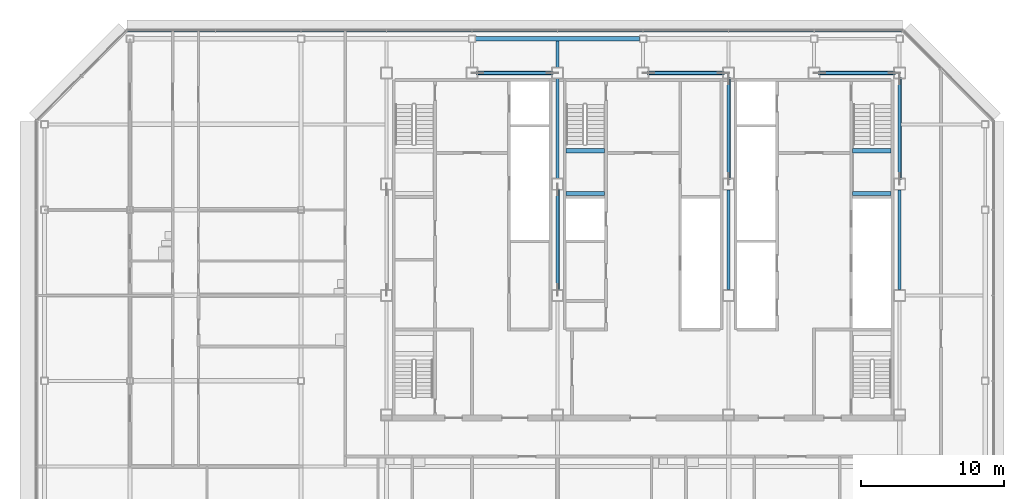
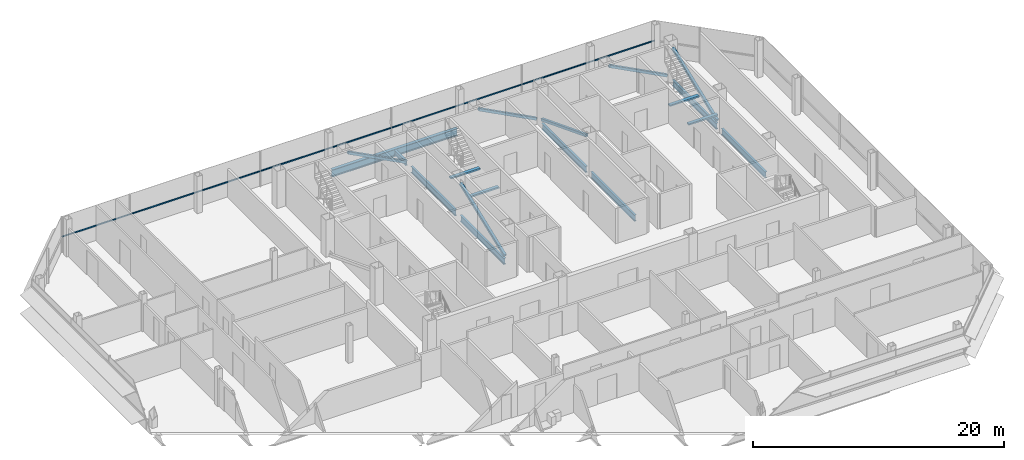
# One storey, part 15 of 27: 12 beams, 7 members, 1 element without a shape of its own.
"""IFC4 building model written with IfcOpenShell, lengths in metres."""

import ifcopenshell
import ifcopenshell.guid

model = None  # the IFC model being written
_history = None  # IfcOwnerHistory: only IFC2X3 demands one
_inside = {}  # id of a spatial element -> (the spatial element, [elements in it])
_under = {}  # id of a project, library or spatial element -> (it, [spatial elements below it])
_declared = {}  # id of a project -> (the project, [libraries it declares])
_typed = {}  # id of a type object -> (the type object, [elements of that type])
_made_of = {}  # id of a material, layer set ... -> (it, [elements and type objects made of it])


def new_model(schema):
    """Start an empty IFC model of exactly this schema.

    Asked for "IFC4X3", IfcOpenShell would pick the latest addendum, in which some entities
    have other attributes; the version numbers below select the first issue.
    IFC2X3 requires an IfcOwnerHistory on every rooted entity: one is made here for all.
    """
    global model, _history
    if schema == "IFC4X3":
        model = ifcopenshell.file(schema_version=(4, 3, 0, 0))
    else:
        model = ifcopenshell.file(schema=schema)
    _inside.clear()
    _under.clear()
    _declared.clear()
    _typed.clear()
    _made_of.clear()
    _history = None
    if model.schema == "IFC2X3":
        org = make("IfcOrganization", Name="unknown")
        user = make(
            "IfcPersonAndOrganization",
            ThePerson=make("IfcPerson", FamilyName="unknown"),
            TheOrganization=org,
        )
        app = make(
            "IfcApplication",
            ApplicationDeveloper=org,
            Version="unknown",
            ApplicationFullName="unknown",
            ApplicationIdentifier="unknown",
        )
        _history = make(
            "IfcOwnerHistory",
            OwningUser=user,
            OwningApplication=app,
            ChangeAction="ADDED",
            CreationDate=0,
        )
    return model


def make(cls, **values):
    """One entity of the class cls with the attributes given. An attribute that is None is left unset."""
    return model.create_entity(
        cls, **{name: value for name, value in values.items() if value is not None}
    )


def rooted(cls, **values):
    """An entity with a GlobalId (a new one), such as an element, a storey or a relation."""
    return make(cls, GlobalId=ifcopenshell.guid.new(), OwnerHistory=_history, **values)


def si_unit(unit_type, name, prefix=None):
    """IfcSIUnit, for example si_unit("LENGTHUNIT", "METRE", prefix="MILLI")."""
    return make("IfcSIUnit", UnitType=unit_type, Prefix=prefix, Name=name)


def assignment(units):
    """IfcUnitAssignment: the units of a project."""
    return None if units is None else make("IfcUnitAssignment", Units=units)


def point(xyz):
    """IfcCartesianPoint."""
    return None if xyz is None else make("IfcCartesianPoint", Coordinates=xyz)


def direction(xyz):
    """IfcDirection."""
    return None if xyz is None else make("IfcDirection", DirectionRatios=xyz)


def frame(location, z_axis=None, x_axis=None):
    """IfcAxis2Placement3D, a coordinate frame: its origin and axes. An axis left out is left unset."""
    return make(
        "IfcAxis2Placement3D",
        Location=point(location),
        Axis=direction(z_axis),
        RefDirection=direction(x_axis),
    )


def frame_2d(location, x_axis=None):
    """IfcAxis2Placement2D, a coordinate frame in the plane: its origin and x axis."""
    return make(
        "IfcAxis2Placement2D", Location=point(location), RefDirection=direction(x_axis)
    )


def origin():
    """The frame at (0, 0, 0) with its axes left unset."""
    return frame((0.0, 0.0, 0.0))


def origin_2d():
    """The frame at (0, 0) in the plane with its x axis left unset."""
    return frame_2d((0.0, 0.0))


def place(relative_to, where):
    """IfcLocalPlacement: puts the frame where relative to a parent placement (None: the world)."""
    return make(
        "IfcLocalPlacement", PlacementRelTo=relative_to, RelativePlacement=where
    )


def context(
    kind, dimensions, precision=None, world=None, true_north=None, identifier=None
):
    """IfcGeometricRepresentationContext, for example the 3D "Model" context."""
    return make(
        "IfcGeometricRepresentationContext",
        ContextIdentifier=identifier,
        ContextType=kind,
        CoordinateSpaceDimension=dimensions,
        Precision=precision,
        WorldCoordinateSystem=world,
        TrueNorth=true_north,
    )


def subcontext(parent, identifier, kind, view, scale=None):
    """IfcGeometricRepresentationSubContext, for example "Body" below "Model"."""
    return make(
        "IfcGeometricRepresentationSubContext",
        ContextIdentifier=identifier,
        ContextType=kind,
        ParentContext=parent,
        TargetScale=scale,
        TargetView=view,
    )


def project(units=None, contexts=None):
    """IfcProject with its units and contexts."""
    return rooted(
        "IfcProject",
        Name="project",
        RepresentationContexts=contexts,
        UnitsInContext=assignment(units),
    )


def spatial(cls, under=None, at=None, **own):
    """A site, building, storey or space (cls), placed at a placement, below another one or the project."""
    s = rooted(cls, ObjectPlacement=at, **own)
    if under is not None:
        _under.setdefault(under.id(), (under, []))[1].append(s)
    return s


def profile(cls, at=None, kind="AREA", **sizes):
    """A parametric profile (cls). Its sizes go by their IFC names, for example OverallWidth=200.0."""
    return make(cls, ProfileType=kind, Position=at, **sizes)


def rectangle(**sizes):
    """IfcRectangleProfileDef."""
    return profile("IfcRectangleProfileDef", **sizes)


def hollow_rectangle(**sizes):
    """IfcRectangleHollowProfileDef."""
    return profile("IfcRectangleHollowProfileDef", **sizes)


def i_section(**sizes):
    """IfcIShapeProfileDef."""
    return profile("IfcIShapeProfileDef", **sizes)


def extrude(swept, where, along, depth):
    """IfcExtrudedAreaSolid: the profile swept, set in the frame where, extruded along a direction by depth."""
    return make(
        "IfcExtrudedAreaSolid",
        SweptArea=swept,
        Position=where,
        ExtrudedDirection=direction(along),
        Depth=depth,
    )


def shape(context_of_items, identifier, shape_type, items):
    """IfcShapeRepresentation: the items that make up one representation, for example the "Body"."""
    return make(
        "IfcShapeRepresentation",
        ContextOfItems=context_of_items,
        RepresentationIdentifier=identifier,
        RepresentationType=shape_type,
        Items=items,
    )


def material(Name=None, Category=None):
    """IfcMaterial."""
    return make("IfcMaterial", Name=Name, Category=Category)


def material_profile(
    of_material, cross_section, Name=None, Category=None, Priority=None
):
    """IfcMaterialProfile: a cross section and its material."""
    return make(
        "IfcMaterialProfile",
        Name=Name,
        Material=of_material,
        Profile=cross_section,
        Priority=Priority,
        Category=Category,
    )


def profile_set(profiles, Name=None, composite=None):
    """IfcMaterialProfileSet."""
    return make(
        "IfcMaterialProfileSet",
        Name=Name,
        MaterialProfiles=profiles,
        CompositeProfile=composite,
    )


def made_of(thing, what):
    """Note that an element or type object is made of a material, layer set ...; save() writes the relation."""
    if what is not None:
        _made_of.setdefault(what.id(), (what, []))[1].append(thing)
    return thing


def type_object(cls, material=None, **own):
    """A type object (cls), such as IfcWallType, which elements share."""
    return made_of(rooted(cls, **own), material)


def element(
    cls,
    number,
    at=None,
    inside=None,
    cuts=None,
    type_object=None,
    material=None,
    context=None,
    identifier="Body",
    shape_type=None,
    held_by="IfcProductDefinitionShape",
    body=None,
    shapes=None,
    **own,
):
    """One element of the class cls, such as IfcWall. Its Tag is "e" and its number.

    at: its placement. inside: the storey or other place that contains it. cuts: it is an
    opening in that element (IfcRelVoidsElement). A single representation is given by context,
    identifier, shape_type and body (its items); several are given by shapes. held_by: the class
    of the entity that holds the representations. save() writes the other relations.
    """
    e = rooted(cls, Tag="e%d" % number, ObjectPlacement=at, **own)
    if body is not None:
        shapes = [shape(context, identifier, shape_type, body)]
    if shapes is not None:
        e.Representation = make(held_by, Representations=shapes)
    if inside is not None:
        _inside.setdefault(inside.id(), (inside, []))[1].append(e)
    if cuts is not None:
        rooted(
            "IfcRelVoidsElement", RelatingBuildingElement=cuts, RelatedOpeningElement=e
        )
    if type_object is not None:
        _typed.setdefault(type_object.id(), (type_object, []))[1].append(e)
    return made_of(e, material)


def aggregate(whole, parts):
    """IfcRelAggregates: a whole, such as a stair, and the parts it consists of."""
    return rooted("IfcRelAggregates", RelatingObject=whole, RelatedObjects=parts)


def save(model, path):
    """Write the relations noted so far, then the file.

    IfcRelAggregates (storeys below a building ...), IfcRelContainedInSpatialStructure (elements
    in a storey), IfcRelDefinesByType, IfcRelAssociatesMaterial and IfcRelDeclares: one each for
    every whole, place, type object, material and project.
    """
    for whole, parts in _under.values():
        aggregate(whole, parts)
    for where, things in _inside.values():
        rooted(
            "IfcRelContainedInSpatialStructure",
            RelatedElements=things,
            RelatingStructure=where,
        )
    for kind, things in _typed.values():
        rooted("IfcRelDefinesByType", RelatedObjects=things, RelatingType=kind)
    for what, things in _made_of.values():
        rooted("IfcRelAssociatesMaterial", RelatedObjects=things, RelatingMaterial=what)
    for by, libraries in _declared.values():
        rooted("IfcRelDeclares", RelatingContext=by, RelatedDefinitions=libraries)
    model.write(path)


model = new_model("IFC4")

# Units and contexts
model_context = context("Model", 3, precision=1e-05, world=origin(), true_north=direction((0.0, 1.0)))
body_context = subcontext(model_context, "Body", "Model", "MODEL_VIEW")
ifc_project = project(units=[si_unit("LENGTHUNIT", "METRE"), si_unit("AREAUNIT", "SQUARE_METRE"), si_unit("VOLUMEUNIT", "CUBIC_METRE"), si_unit("PLANEANGLEUNIT", "RADIAN"), si_unit("MASSUNIT", "GRAM", prefix="KILO")], contexts=[model_context])

# Site, building, storey
site_placement = place(None, origin())
site = spatial("IfcSite", under=ifc_project, at=site_placement, CompositionType="ELEMENT")
building_placement = place(site_placement, origin())
building = spatial("IfcBuilding", under=site, at=building_placement, Name="Sorahane Residences", CompositionType="ELEMENT")
storey_placement = place(building_placement, frame((0.0, 0.0, 323.199951171875)))
storey = spatial("IfcBuildingStorey", under=building, at=storey_placement, Name="L77", CompositionType="ELEMENT", Elevation=323.199951171875)

# Members
ifc_material_1 = material(Name="Steel Q355B", Category="steel")
ifc_material_profile_1 = material_profile(ifc_material_1, hollow_rectangle(XDim=0.25, YDim=0.25, WallThickness=0.011962890625, InnerFilletRadius=0.006103515625, OuterFilletRadius=0.01806640625, at=origin_2d()), Name="RHS 250x250x12")
ifc_profile_set_1 = profile_set([ifc_material_profile_1], Name="Steel Q355B")
member_type_1 = type_object("IfcMemberType", Name="Core brace RHS 250x250x12 Q355B", PredefinedType="BRACE", material=ifc_profile_set_1)
for number, where, z_axis, x_axis, name in (
    (1, (17.634765625, 45.60009765625, 0.10693359375), (-0.886099769192, 0.0, 0.46349455125), (0.0, -1.0, 0.0), "Core brace L77 y45.6-2"),
    (2, (29.634765625, 45.60009765625, 0.10693359375), (-0.886099769192, 0.0, 0.46349455125), (0.0, -1.0, 0.0), "Core brace L77 y45.6-4"),
    (3, (41.634765625, 45.60009765625, 0.10693359375), (-0.886099769192, 0.0, 0.46349455125), (0.0, -1.0, 0.0), "Core brace L77 y45.6-6"),
):
    element("IfcMember", number, at=place(storey_placement, frame(where, z_axis=z_axis, x_axis=x_axis)), inside=storey, type_object=member_type_1, Name=name, PredefinedType="BRACE", context=body_context, shape_type="SweptSolid", body=[
        extrude(hollow_rectangle(XDim=0.25, YDim=0.25, WallThickness=0.011962890625, InnerFilletRadius=0.006103515625, OuterFilletRadius=0.01806640625, at=origin_2d()), origin(), (0.0, 0.0, 1.0), 5.94677734375),
    ])
member_1_placement = place(storey_placement, frame((42.0, 38.1728515625, 0.114501953125), z_axis=(0.0, 0.932097872445, 0.362206510411), x_axis=(-1.0, 0.0, 0.0)))
element("IfcMember", 4, at=member_1_placement, inside=storey, type_object=member_type_1, Name="Core brace L77 x42-3", PredefinedType="BRACE", context=body_context, shape_type="SweptSolid", body=[
    extrude(hollow_rectangle(XDim=0.25, YDim=0.25, WallThickness=0.011962890625, InnerFilletRadius=0.006103515625, OuterFilletRadius=0.01806640625, at=origin_2d()), origin(), (0.0, 0.0, 1.0), 7.568115234375),
])
member_2_placement = place(storey_placement, frame((18.0, 30.372802734375, 0.114501953125), z_axis=(0.0, 0.932102104456, 0.362195619617), x_axis=(-1.0, 0.0, 0.0)))
element("IfcMember", 5, at=member_2_placement, inside=storey, type_object=member_type_1, Name="Core brace L77 x18-1", PredefinedType="BRACE", context=body_context, shape_type="SweptSolid", body=[
    extrude(hollow_rectangle(XDim=0.25, YDim=0.25, WallThickness=0.011962890625, InnerFilletRadius=0.006103515625, OuterFilletRadius=0.01806640625, at=origin_2d()), origin(), (0.0, 0.0, 1.0), 7.568359375),
])
member_3_placement = place(storey_placement, frame((30.0, 45.22705078125, 0.114501953125), z_axis=(0.0, -0.932097872445, 0.362206510411), x_axis=(1.0, 0.0, 0.0)))
element("IfcMember", 6, at=member_3_placement, inside=storey, type_object=member_type_1, Name="Core brace L77 x30-2", PredefinedType="BRACE", context=body_context, shape_type="SweptSolid", body=[
    extrude(hollow_rectangle(XDim=0.25, YDim=0.25, WallThickness=0.011962890625, InnerFilletRadius=0.006103515625, OuterFilletRadius=0.01806640625, at=origin_2d()), origin(), (0.0, 0.0, 1.0), 7.568115234375),
])

# Curtain wall, member
ifc_material_2 = material(Name="Dark low-e glass and black anodised aluminium", Category="aluminium")
curtain_wall_type = type_object("IfcCurtainWallType", Name="Curtain wall CW-1 Typical unitised wall", PredefinedType="NOTDEFINED", material=ifc_material_2)
curtain_wall_placement = place(storey_placement, origin())
curtain_wall = element("IfcCurtainWall", 7, at=curtain_wall_placement, inside=storey, type_object=curtain_wall_type, Name="CW-1 curtain wall L77 N1", PredefinedType="NOTDEFINED")
ifc_material_3 = material(Name="Black anodised aluminium", Category="aluminium")
ifc_material_profile_2 = material_profile(ifc_material_3, rectangle(XDim=0.10009765625, YDim=0.06005859375, at=origin_2d()), Name="Curtain wall transom CW-1 black anodised aluminium 60x100")
ifc_profile_set_2 = profile_set([ifc_material_profile_2], Name="Black anodised aluminium")
member_type_2 = type_object("IfcMemberType", Name="Curtain wall transom CW-1 black anodised aluminium 60x100", PredefinedType="USERDEFINED", material=ifc_profile_set_2)
member_4_placement = place(storey_placement, frame((42.198486328125, 48.530029296875, 1.5), z_axis=(-1.0, 0.0, 0.0), x_axis=(0.0, -1.0, 0.0)))
member_4 = element("IfcMember", 8, at=member_4_placement, type_object=member_type_2, Name="CW-1 transom L77 N1", ObjectType="TRANSOM", PredefinedType="USERDEFINED", context=body_context, shape_type="SweptSolid", body=[
    extrude(rectangle(XDim=0.10009765625, YDim=0.06005859375, at=origin_2d()), origin(), (0.0, 0.0, 1.0), 54.39697265625),
])
aggregate(curtain_wall, [member_4])

# Beams
ifc_material_4 = material(Name="Concrete C40", Category="concrete")
ifc_material_profile_3 = material_profile(ifc_material_4, rectangle(XDim=0.300048828125, YDim=0.139892578125, at=origin_2d()), Name="300x140")
ifc_profile_set_3 = profile_set([ifc_material_profile_3], Name="Concrete C40")
beam_type_1 = type_object("IfcBeamType", Name="RC landing beam 300 x 140 Concrete C40", PredefinedType="BEAM", material=ifc_profile_set_3)
for number, where, z_axis, x_axis, name in (
    (9, (38.699951171875, 37.14990234375, 1.530029296875), (1.0, 0.0, 0.0), (0.0, 1.0, 0.0), "Landing beam"),
    (10, (38.699951171875, 40.14990234375, 1.530029296875), (1.0, 0.0, 0.0), (0.0, 1.0, 0.0), "Landing beam"),
    (11, (18.60009765625, 37.14990234375, 1.530029296875), (1.0, 0.0, 0.0), (0.0, 1.0, 0.0), "Landing beam"),
    (12, (18.60009765625, 40.14990234375, 1.530029296875), (1.0, 0.0, 0.0), (0.0, 1.0, 0.0), "Landing beam"),
):
    element("IfcBeam", number, at=place(storey_placement, frame(where, z_axis=z_axis, x_axis=x_axis)), inside=storey, type_object=beam_type_1, Name=name, PredefinedType="BEAM", context=body_context, shape_type="SweptSolid", body=[
        extrude(rectangle(XDim=0.300048828125, YDim=0.139892578125, at=origin_2d()), origin(), (0.0, 0.0, 1.0), 2.699951171875),
    ])
ifc_material_5 = material(Name="Steel Q355B", Category="steel")
ifc_material_profile_4 = material_profile(ifc_material_5, i_section(OverallWidth=0.199951171875, OverallDepth=0.449951171875, WebThickness=0.009033203125, FlangeThickness=0.013916015625, FilletRadius=0.02001953125, at=origin_2d()), Name="HN 450x200x9x14")
ifc_profile_set_4 = profile_set([ifc_material_profile_4], Name="Steel Q355B")
beam_type_2 = type_object("IfcBeamType", Name="Steel floor beam HN 450x200x9x14 Q355B", PredefinedType="BEAM", material=ifc_profile_set_4)
beam_1_placement = place(storey_placement, frame((18.0, 46.0, -0.405029296875), z_axis=(0.0, 1.0, 0.0), x_axis=(-1.0, 0.0, 0.0)))
element("IfcBeam", 13, at=beam_1_placement, inside=storey, type_object=beam_type_2, Name="Beam L77 045", PredefinedType="BEAM", context=body_context, shape_type="SweptSolid", body=[
    extrude(i_section(OverallWidth=0.199951171875, OverallDepth=0.449951171875, WebThickness=0.009033203125, FlangeThickness=0.013916015625, FilletRadius=0.02001953125, at=origin_2d()), origin(), (0.0, 0.0, 1.0), 1.85009765625),
])
ifc_material_6 = material(Name="Steel Q355B", Category="steel")
ifc_material_profile_5 = material_profile(ifc_material_6, i_section(OverallWidth=0.199951171875, OverallDepth=0.60009765625, WebThickness=0.010986328125, FlangeThickness=0.01708984375, FilletRadius=0.02392578125, at=origin_2d()), Name="HN 600x200x11x17")
ifc_profile_set_5 = profile_set([ifc_material_profile_5], Name="Steel Q355B")
beam_type_3 = type_object("IfcBeamType", Name="Steel floor beam HN 600x200x11x17 Q355B", PredefinedType="BEAM", material=ifc_profile_set_5)
for number, where, z_axis, x_axis, name in (
    (14, (18.0, 30.39990234375, -0.47998046875), (0.0, 1.0, 0.0), (-1.0, 0.0, 0.0), "Beam L77 043"),
    (15, (18.0, 38.199951171875, -0.47998046875), (0.0, 1.0, 0.0), (-1.0, 0.0, 0.0), "Beam L77 044"),
    (16, (30.0, 30.39990234375, -0.47998046875), (0.0, 1.0, 0.0), (-1.0, 0.0, 0.0), "Beam L77 051"),
    (17, (30.0, 38.199951171875, -0.47998046875), (0.0, 1.0, 0.0), (-1.0, 0.0, 0.0), "Beam L77 052"),
    (18, (42.0, 30.39990234375, -0.47998046875), (0.0, 1.0, 0.0), (-1.0, 0.0, 0.0), "Beam L77 059"),
    (19, (42.0, 38.199951171875, -0.47998046875), (0.0, 1.0, 0.0), (-1.0, 0.0, 0.0), "Beam L77 060"),
):
    element("IfcBeam", number, at=place(storey_placement, frame(where, z_axis=z_axis, x_axis=x_axis)), inside=storey, type_object=beam_type_3, Name=name, PredefinedType="BEAM", context=body_context, shape_type="SweptSolid", body=[
        extrude(i_section(OverallWidth=0.199951171875, OverallDepth=0.60009765625, WebThickness=0.010986328125, FlangeThickness=0.01708984375, FilletRadius=0.02392578125, at=origin_2d()), origin(), (0.0, 0.0, 1.0), 7.0),
    ])
ifc_material_7 = material(Name="Steel Q355B", Category="steel")
ifc_material_profile_6 = material_profile(ifc_material_7, i_section(OverallWidth=0.300048828125, OverallDepth=0.699951171875, WebThickness=0.012939453125, FlangeThickness=0.02392578125, FilletRadius=0.028076171875, at=origin_2d()), Name="HN 700x300x13x24")
ifc_profile_set_6 = profile_set([ifc_material_profile_6], Name="Steel Q355B")
beam_type_4 = type_object("IfcBeamType", Name="Steel floor beam HN 700x300x13x24 Q355B", PredefinedType="BEAM", material=ifc_profile_set_6)
beam_2_placement = place(storey_placement, frame((12.25, 48.0, -0.530029296875), z_axis=(1.0, 0.0, 0.0), x_axis=(0.0, 1.0, 0.0)))
element("IfcBeam", 20, at=beam_2_placement, inside=storey, type_object=beam_type_4, Name="Beam L77 017", PredefinedType="BEAM", context=body_context, shape_type="SweptSolid", body=[
    extrude(i_section(OverallWidth=0.300048828125, OverallDepth=0.699951171875, WebThickness=0.012939453125, FlangeThickness=0.02392578125, FilletRadius=0.028076171875, at=origin_2d()), origin(), (0.0, 0.0, 1.0), 11.5),
])

save(model, "model.ifc")
